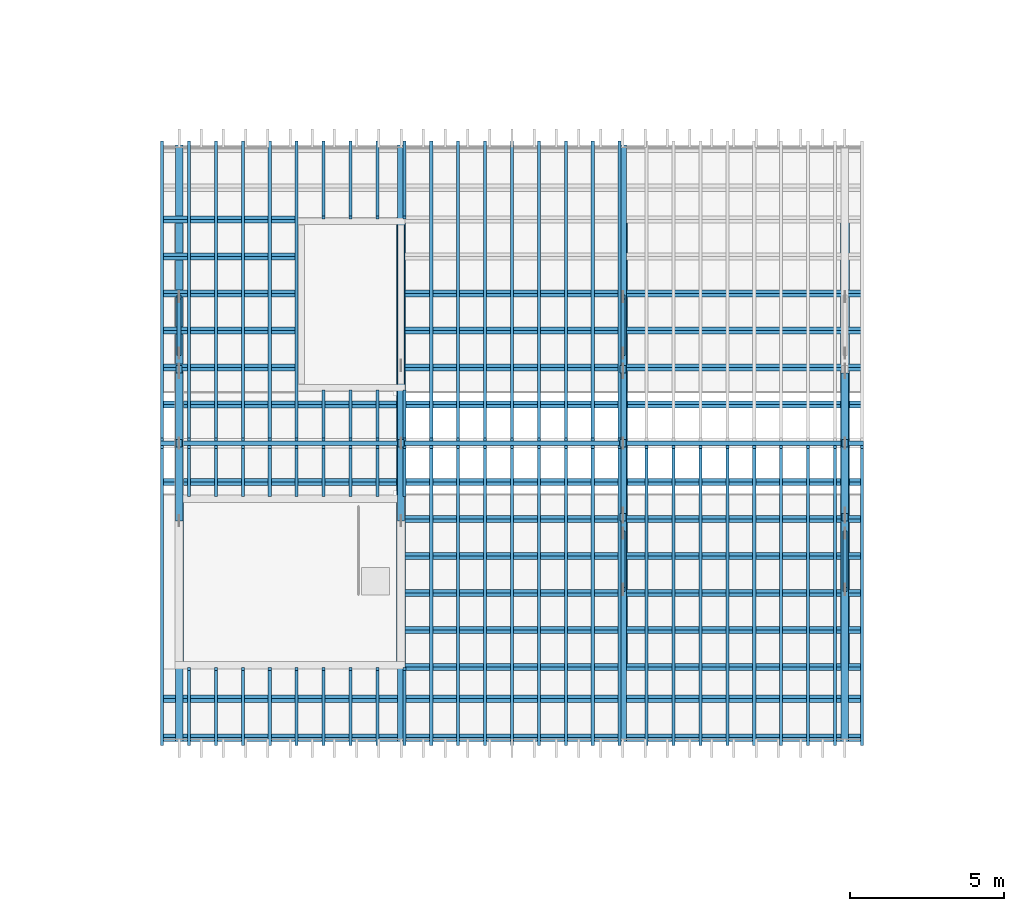
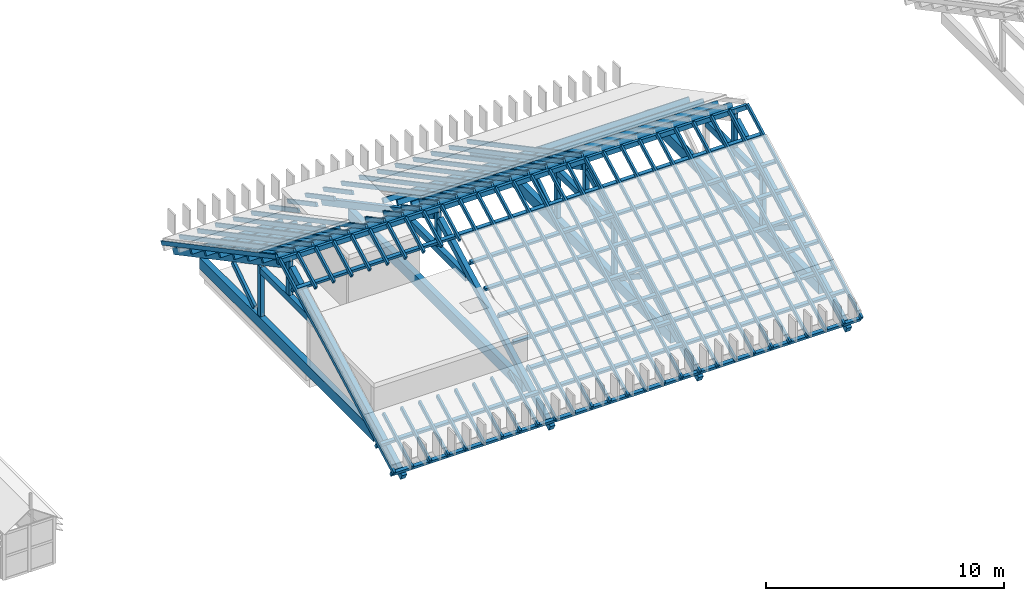
# One storey, part 9 of 28: 99 members, 4 beams.
"""IFC4 building model written with IfcOpenShell, lengths in metres."""

from ifc_helpers import new_model, si_unit, direction, frame, origin, origin_2d, place, context, subcontext, project, spatial, rectangle, extrude, material, material_profile, profile_set, type_object, element, save


model = new_model("IFC4")

# Units and contexts
model_context = context("Model", 3, precision=1e-05, world=origin(), true_north=direction((0.0, 1.0)))
body_context = subcontext(model_context, "Body", "Model", "MODEL_VIEW")
ifc_project = project(units=[si_unit("LENGTHUNIT", "METRE"), si_unit("AREAUNIT", "SQUARE_METRE"), si_unit("VOLUMEUNIT", "CUBIC_METRE"), si_unit("PLANEANGLEUNIT", "RADIAN"), si_unit("MASSUNIT", "GRAM", prefix="KILO")], contexts=[model_context])

# Site, building, storey
site_placement = place(None, origin())
site = spatial("IfcSite", under=ifc_project, at=site_placement, CompositionType="ELEMENT")
building_placement = place(site_placement, origin())
building = spatial("IfcBuilding", under=site, at=building_placement, Name="Mazhai Court Health Centre", CompositionType="ELEMENT")
storey_placement = place(building_placement, frame((0.0, 0.0, 18.0)))
storey = spatial("IfcBuildingStorey", under=building, at=storey_placement, Name="RF", CompositionType="ELEMENT", Elevation=18.0)

# Members
ifc_material_1 = material(Name="Glulam GL24h", Category="wood")
ifc_material_profile_1 = material_profile(ifc_material_1, rectangle(XDim=0.10009765625, YDim=0.199951171875, at=origin_2d()), Name="GL24h 100x200")
ifc_profile_set_1 = profile_set([ifc_material_profile_1], Name="Glulam GL24h")
member_type_1 = type_object("IfcMemberType", Name="GL24h 100x200 rafter", PredefinedType="RAFTER", material=ifc_profile_set_1)
for number, where, z_axis, x_axis, name in (
    (1, (93.14990234375, 10.84033203125, 0.01025390625), (0.0, 0.882946920319, 0.469472827648), (-1.0, 0.0, 0.0), "Rafter RV4W-RF1"),
    (2, (92.27685546875, 10.84033203125, 0.01025390625), (0.0, 0.882946920319, 0.469472827648), (-1.0, 0.0, 0.0), "Rafter RV4W-RF2"),
    (3, (91.40380859375, 10.84033203125, 0.01025390625), (0.0, 0.882946920319, 0.469472827648), (-1.0, 0.0, 0.0), "Rafter RV4W-RF3"),
    (4, (90.53076171875, 10.84033203125, 0.01025390625), (0.0, 0.882946920319, 0.469472827648), (-1.0, 0.0, 0.0), "Rafter RV4W-RF4"),
    (5, (89.65771484375, 10.84033203125, 0.01025390625), (0.0, 0.882946920319, 0.469472827648), (-1.0, 0.0, 0.0), "Rafter RV4W-RF5"),
    (6, (88.78466796875, 10.84033203125, 0.01025390625), (0.0, 0.882946920319, 0.469472827648), (-1.0, 0.0, 0.0), "Rafter RV4W-RF6"),
    (7, (87.91162109375, 10.84033203125, 0.01025390625), (0.0, 0.882946920319, 0.469472827648), (-1.0, 0.0, 0.0), "Rafter RV4W-RF7"),
    (8, (87.03857421875, 10.84033203125, 0.01025390625), (0.0, 0.882946920319, 0.469472827648), (-1.0, 0.0, 0.0), "Rafter RV4W-RF8"),
    (9, (86.165283203125, 10.84033203125, 0.01025390625), (0.0, 0.882946920319, 0.469472827648), (-1.0, 0.0, 0.0), "Rafter RV4W-RF9"),
    (10, (85.292236328125, 10.84033203125, 0.01025390625), (0.0, 0.882946920319, 0.469472827648), (-1.0, 0.0, 0.0), "Rafter RV4W-RF10"),
    (11, (84.419189453125, 10.84033203125, 0.01025390625), (0.0, 0.882946920319, 0.469472827648), (-1.0, 0.0, 0.0), "Rafter RV4W-RF11"),
    (12, (83.546142578125, 10.84033203125, 0.01025390625), (0.0, 0.882946920319, 0.469472827648), (-1.0, 0.0, 0.0), "Rafter RV4W-RF12"),
    (13, (82.673095703125, 10.84033203125, 0.01025390625), (0.0, 0.882946920319, 0.469472827648), (-1.0, 0.0, 0.0), "Rafter RV4W-RF13"),
    (14, (81.800048828125, 10.84033203125, 0.01025390625), (0.0, 0.882946920319, 0.469472827648), (-1.0, 0.0, 0.0), "Rafter RV4W-RF14"),
    (15, (80.927001953125, 10.84033203125, 0.01025390625), (0.0, 0.882946920319, 0.469472827648), (-1.0, 0.0, 0.0), "Rafter RV4W-RF15"),
    (16, (80.053955078125, 10.84033203125, 0.01025390625), (0.0, 0.882946920319, 0.469472827648), (-1.0, 0.0, 0.0), "Rafter RV4W-RF16"),
    (17, (79.1806640625, 10.84033203125, 0.01025390625), (0.0, 0.882946920319, 0.469472827648), (-1.0, 0.0, 0.0), "Rafter RV4W-RF17"),
    (18, (70.449951171875, 10.84033203125, 0.01025390625), (0.0, 0.882946920319, 0.469472827648), (-1.0, 0.0, 0.0), "Rafter RV4W-RF27"),
):
    element("IfcMember", number, at=place(storey_placement, frame(where, z_axis=z_axis, x_axis=x_axis)), inside=storey, type_object=member_type_1, Name=name, PredefinedType="RAFTER", context=body_context, shape_type="SweptSolid", body=[
        extrude(rectangle(XDim=0.10009765625, YDim=0.199951171875, at=origin_2d()), origin(), (0.0, 0.0, 1.0), 10.921142578125),
    ])
for number, where, z_axis, x_axis, name in (
    (19, (70.449951171875, 30.359619140625, 0.01025390625), (0.0, -0.882941993072, 0.469482094301), (1.0, 0.0, 0.0), "Rafter RV4W-RF28"),
    (20, (71.322998046875, 30.359619140625, 0.01025390625), (0.0, -0.882941993072, 0.469482094301), (1.0, 0.0, 0.0), "Rafter RV4W-RF29"),
    (21, (72.196044921875, 30.359619140625, 0.01025390625), (0.0, -0.882941993072, 0.469482094301), (1.0, 0.0, 0.0), "Rafter RV4W-RF30"),
    (22, (73.0693359375, 30.359619140625, 0.01025390625), (0.0, -0.882941993072, 0.469482094301), (1.0, 0.0, 0.0), "Rafter RV4W-RF31"),
    (23, (73.9423828125, 30.359619140625, 0.01025390625), (0.0, -0.882941993072, 0.469482094301), (1.0, 0.0, 0.0), "Rafter RV4W-RF32"),
    (24, (74.8154296875, 30.359619140625, 0.01025390625), (0.0, -0.882941993072, 0.469482094301), (1.0, 0.0, 0.0), "Rafter RV4W-RF33"),
    (25, (79.1806640625, 30.359619140625, 0.01025390625), (0.0, -0.882941993072, 0.469482094301), (1.0, 0.0, 0.0), "Rafter RV4W-RF38"),
    (26, (80.053955078125, 30.359619140625, 0.01025390625), (0.0, -0.882941993072, 0.469482094301), (1.0, 0.0, 0.0), "Rafter RV4W-RF39"),
    (27, (80.927001953125, 30.359619140625, 0.01025390625), (0.0, -0.882941993072, 0.469482094301), (1.0, 0.0, 0.0), "Rafter RV4W-RF40"),
    (28, (81.800048828125, 30.359619140625, 0.01025390625), (0.0, -0.882941993072, 0.469482094301), (1.0, 0.0, 0.0), "Rafter RV4W-RF41"),
    (29, (82.673095703125, 30.359619140625, 0.01025390625), (0.0, -0.882941993072, 0.469482094301), (1.0, 0.0, 0.0), "Rafter RV4W-RF42"),
    (30, (83.546142578125, 30.359619140625, 0.01025390625), (0.0, -0.882941993072, 0.469482094301), (1.0, 0.0, 0.0), "Rafter RV4W-RF43"),
    (31, (84.419189453125, 30.359619140625, 0.01025390625), (0.0, -0.882941993072, 0.469482094301), (1.0, 0.0, 0.0), "Rafter RV4W-RF44"),
    (32, (85.292236328125, 30.359619140625, 0.01025390625), (0.0, -0.882941993072, 0.469482094301), (1.0, 0.0, 0.0), "Rafter RV4W-RF45"),
):
    element("IfcMember", number, at=place(storey_placement, frame(where, z_axis=z_axis, x_axis=x_axis)), inside=storey, type_object=member_type_1, Name=name, PredefinedType="RAFTER", context=body_context, shape_type="SweptSolid", body=[
        extrude(rectangle(XDim=0.10009765625, YDim=0.199951171875, at=origin_2d()), origin(), (0.0, 0.0, 1.0), 10.9208984375),
    ])
member_1_placement = place(storey_placement, frame((78.3076171875, 10.84033203125, 0.01025390625), z_axis=(0.0, 0.882955170154, 0.469457311689), x_axis=(-1.0, 0.0, 0.0)))
element("IfcMember", 33, at=member_1_placement, inside=storey, type_object=member_type_1, Name="Rafter RV4W-RF18", PredefinedType="RAFTER", context=body_context, shape_type="SweptSolid", body=[
    extrude(rectangle(XDim=0.10009765625, YDim=0.199951171875, at=origin_2d()), origin(), (0.0, 0.0, 1.0), 2.75732421875),
])
member_2_placement = place(storey_placement, frame((78.3076171875, 18.925048828125, 4.30908203125), z_axis=(0.0, 0.882968788078, 0.469431698206), x_axis=(-1.0, 0.0, 0.0)))
element("IfcMember", 34, at=member_2_placement, inside=storey, type_object=member_type_1, Name="Rafter RV4W-RF18", PredefinedType="RAFTER", context=body_context, shape_type="SweptSolid", body=[
    extrude(rectangle(XDim=0.10009765625, YDim=0.199951171875, at=origin_2d()), origin(), (0.0, 0.0, 1.0), 1.7646484375),
])
member_3_placement = place(storey_placement, frame((77.4345703125, 10.84033203125, 0.01025390625), z_axis=(0.0, 0.882955170154, 0.469457311689), x_axis=(-1.0, 0.0, 0.0)))
element("IfcMember", 35, at=member_3_placement, inside=storey, type_object=member_type_1, Name="Rafter RV4W-RF19", PredefinedType="RAFTER", context=body_context, shape_type="SweptSolid", body=[
    extrude(rectangle(XDim=0.10009765625, YDim=0.199951171875, at=origin_2d()), origin(), (0.0, 0.0, 1.0), 2.75732421875),
])
member_4_placement = place(storey_placement, frame((77.4345703125, 18.925048828125, 4.30908203125), z_axis=(0.0, 0.882968788078, 0.469431698206), x_axis=(-1.0, 0.0, 0.0)))
element("IfcMember", 36, at=member_4_placement, inside=storey, type_object=member_type_1, Name="Rafter RV4W-RF19", PredefinedType="RAFTER", context=body_context, shape_type="SweptSolid", body=[
    extrude(rectangle(XDim=0.10009765625, YDim=0.199951171875, at=origin_2d()), origin(), (0.0, 0.0, 1.0), 1.7646484375),
])
member_5_placement = place(storey_placement, frame((76.5615234375, 10.84033203125, 0.01025390625), z_axis=(0.0, 0.882955170154, 0.469457311689), x_axis=(-1.0, 0.0, 0.0)))
element("IfcMember", 37, at=member_5_placement, inside=storey, type_object=member_type_1, Name="Rafter RV4W-RF20", PredefinedType="RAFTER", context=body_context, shape_type="SweptSolid", body=[
    extrude(rectangle(XDim=0.10009765625, YDim=0.199951171875, at=origin_2d()), origin(), (0.0, 0.0, 1.0), 2.75732421875),
])
member_6_placement = place(storey_placement, frame((76.5615234375, 18.925048828125, 4.30908203125), z_axis=(0.0, 0.882968788078, 0.469431698206), x_axis=(-1.0, 0.0, 0.0)))
element("IfcMember", 38, at=member_6_placement, inside=storey, type_object=member_type_1, Name="Rafter RV4W-RF20", PredefinedType="RAFTER", context=body_context, shape_type="SweptSolid", body=[
    extrude(rectangle(XDim=0.10009765625, YDim=0.199951171875, at=origin_2d()), origin(), (0.0, 0.0, 1.0), 1.7646484375),
])
member_7_placement = place(storey_placement, frame((75.6884765625, 10.84033203125, 0.01025390625), z_axis=(0.0, 0.882955170154, 0.469457311689), x_axis=(-1.0, 0.0, 0.0)))
element("IfcMember", 39, at=member_7_placement, inside=storey, type_object=member_type_1, Name="Rafter RV4W-RF21", PredefinedType="RAFTER", context=body_context, shape_type="SweptSolid", body=[
    extrude(rectangle(XDim=0.10009765625, YDim=0.199951171875, at=origin_2d()), origin(), (0.0, 0.0, 1.0), 2.75732421875),
])
member_8_placement = place(storey_placement, frame((75.6884765625, 18.925048828125, 4.30908203125), z_axis=(0.0, 0.882968788078, 0.469431698206), x_axis=(-1.0, 0.0, 0.0)))
element("IfcMember", 40, at=member_8_placement, inside=storey, type_object=member_type_1, Name="Rafter RV4W-RF21", PredefinedType="RAFTER", context=body_context, shape_type="SweptSolid", body=[
    extrude(rectangle(XDim=0.10009765625, YDim=0.199951171875, at=origin_2d()), origin(), (0.0, 0.0, 1.0), 1.7646484375),
])
member_9_placement = place(storey_placement, frame((74.8154296875, 10.84033203125, 0.01025390625), z_axis=(0.0, 0.882955170154, 0.469457311689), x_axis=(-1.0, 0.0, 0.0)))
element("IfcMember", 41, at=member_9_placement, inside=storey, type_object=member_type_1, Name="Rafter RV4W-RF22", PredefinedType="RAFTER", context=body_context, shape_type="SweptSolid", body=[
    extrude(rectangle(XDim=0.10009765625, YDim=0.199951171875, at=origin_2d()), origin(), (0.0, 0.0, 1.0), 2.75732421875),
])
member_10_placement = place(storey_placement, frame((74.8154296875, 18.925048828125, 4.30908203125), z_axis=(0.0, 0.882968788078, 0.469431698206), x_axis=(-1.0, 0.0, 0.0)))
element("IfcMember", 42, at=member_10_placement, inside=storey, type_object=member_type_1, Name="Rafter RV4W-RF22", PredefinedType="RAFTER", context=body_context, shape_type="SweptSolid", body=[
    extrude(rectangle(XDim=0.10009765625, YDim=0.199951171875, at=origin_2d()), origin(), (0.0, 0.0, 1.0), 1.7646484375),
])
member_11_placement = place(storey_placement, frame((73.9423828125, 10.84033203125, 0.01025390625), z_axis=(0.0, 0.882955170154, 0.469457311689), x_axis=(-1.0, 0.0, 0.0)))
element("IfcMember", 43, at=member_11_placement, inside=storey, type_object=member_type_1, Name="Rafter RV4W-RF23", PredefinedType="RAFTER", context=body_context, shape_type="SweptSolid", body=[
    extrude(rectangle(XDim=0.10009765625, YDim=0.199951171875, at=origin_2d()), origin(), (0.0, 0.0, 1.0), 2.75732421875),
])
member_12_placement = place(storey_placement, frame((73.9423828125, 18.925048828125, 4.30908203125), z_axis=(0.0, 0.882968788078, 0.469431698206), x_axis=(-1.0, 0.0, 0.0)))
element("IfcMember", 44, at=member_12_placement, inside=storey, type_object=member_type_1, Name="Rafter RV4W-RF23", PredefinedType="RAFTER", context=body_context, shape_type="SweptSolid", body=[
    extrude(rectangle(XDim=0.10009765625, YDim=0.199951171875, at=origin_2d()), origin(), (0.0, 0.0, 1.0), 1.7646484375),
])
member_13_placement = place(storey_placement, frame((73.069091796875, 10.84033203125, 0.01025390625), z_axis=(0.0, 0.882955170154, 0.469457311689), x_axis=(-1.0, 0.0, 0.0)))
element("IfcMember", 45, at=member_13_placement, inside=storey, type_object=member_type_1, Name="Rafter RV4W-RF24", PredefinedType="RAFTER", context=body_context, shape_type="SweptSolid", body=[
    extrude(rectangle(XDim=0.10009765625, YDim=0.199951171875, at=origin_2d()), origin(), (0.0, 0.0, 1.0), 2.75732421875),
])
member_14_placement = place(storey_placement, frame((73.069091796875, 18.925048828125, 4.30908203125), z_axis=(0.0, 0.882968788078, 0.469431698206), x_axis=(-1.0, 0.0, 0.0)))
element("IfcMember", 46, at=member_14_placement, inside=storey, type_object=member_type_1, Name="Rafter RV4W-RF24", PredefinedType="RAFTER", context=body_context, shape_type="SweptSolid", body=[
    extrude(rectangle(XDim=0.10009765625, YDim=0.199951171875, at=origin_2d()), origin(), (0.0, 0.0, 1.0), 1.7646484375),
])
member_15_placement = place(storey_placement, frame((72.1962890625, 10.84033203125, 0.01025390625), z_axis=(0.0, 0.882955170154, 0.469457311689), x_axis=(-1.0, 0.0, 0.0)))
element("IfcMember", 47, at=member_15_placement, inside=storey, type_object=member_type_1, Name="Rafter RV4W-RF25", PredefinedType="RAFTER", context=body_context, shape_type="SweptSolid", body=[
    extrude(rectangle(XDim=0.10009765625, YDim=0.199951171875, at=origin_2d()), origin(), (0.0, 0.0, 1.0), 2.75732421875),
])
member_16_placement = place(storey_placement, frame((72.1962890625, 18.925048828125, 4.30908203125), z_axis=(0.0, 0.882968788078, 0.469431698206), x_axis=(-1.0, 0.0, 0.0)))
element("IfcMember", 48, at=member_16_placement, inside=storey, type_object=member_type_1, Name="Rafter RV4W-RF25", PredefinedType="RAFTER", context=body_context, shape_type="SweptSolid", body=[
    extrude(rectangle(XDim=0.10009765625, YDim=0.199951171875, at=origin_2d()), origin(), (0.0, 0.0, 1.0), 1.7646484375),
])
member_17_placement = place(storey_placement, frame((71.322998046875, 10.84033203125, 0.01025390625), z_axis=(0.0, 0.882955170154, 0.469457311689), x_axis=(-1.0, 0.0, 0.0)))
element("IfcMember", 49, at=member_17_placement, inside=storey, type_object=member_type_1, Name="Rafter RV4W-RF26", PredefinedType="RAFTER", context=body_context, shape_type="SweptSolid", body=[
    extrude(rectangle(XDim=0.10009765625, YDim=0.199951171875, at=origin_2d()), origin(), (0.0, 0.0, 1.0), 2.75732421875),
])
member_18_placement = place(storey_placement, frame((71.322998046875, 18.925048828125, 4.30908203125), z_axis=(0.0, 0.882968788078, 0.469431698206), x_axis=(-1.0, 0.0, 0.0)))
element("IfcMember", 50, at=member_18_placement, inside=storey, type_object=member_type_1, Name="Rafter RV4W-RF26", PredefinedType="RAFTER", context=body_context, shape_type="SweptSolid", body=[
    extrude(rectangle(XDim=0.10009765625, YDim=0.199951171875, at=origin_2d()), origin(), (0.0, 0.0, 1.0), 1.7646484375),
])
member_19_placement = place(storey_placement, frame((75.6884765625, 30.359619140625, 0.01025390625), z_axis=(0.0, -0.882955170154, 0.469457311689), x_axis=(1.0, 0.0, 0.0)))
element("IfcMember", 51, at=member_19_placement, inside=storey, type_object=member_type_1, Name="Rafter RV4W-RF34", PredefinedType="RAFTER", context=body_context, shape_type="SweptSolid", body=[
    extrude(rectangle(XDim=0.10009765625, YDim=0.199951171875, at=origin_2d()), origin(), (0.0, 0.0, 1.0), 2.75732421875),
])
member_20_placement = place(storey_placement, frame((75.6884765625, 22.27490234375, 4.30908203125), z_axis=(0.0, -0.882968788078, 0.469431698206), x_axis=(1.0, 0.0, 0.0)))
element("IfcMember", 52, at=member_20_placement, inside=storey, type_object=member_type_1, Name="Rafter RV4W-RF34", PredefinedType="RAFTER", context=body_context, shape_type="SweptSolid", body=[
    extrude(rectangle(XDim=0.10009765625, YDim=0.199951171875, at=origin_2d()), origin(), (0.0, 0.0, 1.0), 1.7646484375),
])
member_21_placement = place(storey_placement, frame((76.5615234375, 30.359619140625, 0.01025390625), z_axis=(0.0, -0.882955170154, 0.469457311689), x_axis=(1.0, 0.0, 0.0)))
element("IfcMember", 53, at=member_21_placement, inside=storey, type_object=member_type_1, Name="Rafter RV4W-RF35", PredefinedType="RAFTER", context=body_context, shape_type="SweptSolid", body=[
    extrude(rectangle(XDim=0.10009765625, YDim=0.199951171875, at=origin_2d()), origin(), (0.0, 0.0, 1.0), 2.75732421875),
])
member_22_placement = place(storey_placement, frame((76.5615234375, 22.27490234375, 4.30908203125), z_axis=(0.0, -0.882968788078, 0.469431698206), x_axis=(1.0, 0.0, 0.0)))
element("IfcMember", 54, at=member_22_placement, inside=storey, type_object=member_type_1, Name="Rafter RV4W-RF35", PredefinedType="RAFTER", context=body_context, shape_type="SweptSolid", body=[
    extrude(rectangle(XDim=0.10009765625, YDim=0.199951171875, at=origin_2d()), origin(), (0.0, 0.0, 1.0), 1.7646484375),
])
member_23_placement = place(storey_placement, frame((77.4345703125, 30.359619140625, 0.01025390625), z_axis=(0.0, -0.882955170154, 0.469457311689), x_axis=(1.0, 0.0, 0.0)))
element("IfcMember", 55, at=member_23_placement, inside=storey, type_object=member_type_1, Name="Rafter RV4W-RF36", PredefinedType="RAFTER", context=body_context, shape_type="SweptSolid", body=[
    extrude(rectangle(XDim=0.10009765625, YDim=0.199951171875, at=origin_2d()), origin(), (0.0, 0.0, 1.0), 2.75732421875),
])
member_24_placement = place(storey_placement, frame((77.4345703125, 22.27490234375, 4.30908203125), z_axis=(0.0, -0.882968788078, 0.469431698206), x_axis=(1.0, 0.0, 0.0)))
element("IfcMember", 56, at=member_24_placement, inside=storey, type_object=member_type_1, Name="Rafter RV4W-RF36", PredefinedType="RAFTER", context=body_context, shape_type="SweptSolid", body=[
    extrude(rectangle(XDim=0.10009765625, YDim=0.199951171875, at=origin_2d()), origin(), (0.0, 0.0, 1.0), 1.7646484375),
])
member_25_placement = place(storey_placement, frame((78.3076171875, 30.359619140625, 0.01025390625), z_axis=(0.0, -0.882955170154, 0.469457311689), x_axis=(1.0, 0.0, 0.0)))
element("IfcMember", 57, at=member_25_placement, inside=storey, type_object=member_type_1, Name="Rafter RV4W-RF37", PredefinedType="RAFTER", context=body_context, shape_type="SweptSolid", body=[
    extrude(rectangle(XDim=0.10009765625, YDim=0.199951171875, at=origin_2d()), origin(), (0.0, 0.0, 1.0), 2.75732421875),
])
member_26_placement = place(storey_placement, frame((78.3076171875, 22.27490234375, 4.30908203125), z_axis=(0.0, -0.882968788078, 0.469431698206), x_axis=(1.0, 0.0, 0.0)))
element("IfcMember", 58, at=member_26_placement, inside=storey, type_object=member_type_1, Name="Rafter RV4W-RF37", PredefinedType="RAFTER", context=body_context, shape_type="SweptSolid", body=[
    extrude(rectangle(XDim=0.10009765625, YDim=0.199951171875, at=origin_2d()), origin(), (0.0, 0.0, 1.0), 1.7646484375),
])
ifc_material_2 = material(Name="Glulam GL24h", Category="wood")
ifc_material_profile_2 = material_profile(ifc_material_2, rectangle(XDim=0.139892578125, YDim=0.239990234375, at=origin_2d()), Name="GL24h 140x240")
ifc_profile_set_2 = profile_set([ifc_material_profile_2], Name="Glulam GL24h")
member_type_2 = type_object("IfcMemberType", Name="GL24h 140x240 purlin", PredefinedType="PURLIN", material=ifc_profile_set_2)
for number, where, z_axis, x_axis, name in (
    (59, (70.39990234375, 11.043701171875, -0.130859375), (1.0, 0.0, 0.0), (0.0, 0.882947592859, 0.469471562786), "Purlin RV4W-PU1"),
    (60, (70.39990234375, 12.30859375, 0.541748046875), (1.0, 0.0, 0.0), (0.0, 0.882947592859, 0.469471562786), "Purlin RV4W-PU2"),
    (61, (70.39990234375, 19.34375, 4.282470703125), (1.0, 0.0, 0.0), (0.0, 0.882947592859, 0.469471562786), "Purlin RV4W-PU8"),
    (62, (70.39990234375, 21.8564453125, 4.282470703125), (1.0, 0.0, 0.0), (0.0, 0.882947592859, -0.469471562786), "Purlin RV4W-PU16"),
):
    element("IfcMember", number, at=place(storey_placement, frame(where, z_axis=z_axis, x_axis=x_axis)), inside=storey, type_object=member_type_2, Name=name, PredefinedType="PURLIN", context=body_context, shape_type="SweptSolid", body=[
        extrude(rectangle(XDim=0.139892578125, YDim=0.239990234375, at=origin_2d()), origin(), (0.0, 0.0, 1.0), 22.800048828125),
    ])
for number, where, z_axis, x_axis, name in (
    (63, (78.324951171875, 13.34375, 1.09228515625), (1.0, 0.0, 0.0), (0.0, 0.882947592859, 0.469471562786), "Purlin RV4W-PU3"),
    (64, (78.324951171875, 14.543701171875, 1.730224609375), (1.0, 0.0, 0.0), (0.0, 0.882947592859, 0.469471562786), "Purlin RV4W-PU4"),
    (65, (78.324951171875, 15.74365234375, 2.368408203125), (1.0, 0.0, 0.0), (0.0, 0.882947592859, 0.469471562786), "Purlin RV4W-PU5"),
    (66, (78.324951171875, 16.943603515625, 3.00634765625), (1.0, 0.0, 0.0), (0.0, 0.882947592859, 0.469471562786), "Purlin RV4W-PU6"),
    (67, (78.324951171875, 18.143798828125, 3.644287109375), (1.0, 0.0, 0.0), (0.0, 0.882947592859, 0.469471562786), "Purlin RV4W-PU7"),
):
    element("IfcMember", number, at=place(storey_placement, frame(where, z_axis=z_axis, x_axis=x_axis)), inside=storey, type_object=member_type_2, Name=name, PredefinedType="PURLIN", context=body_context, shape_type="SweptSolid", body=[
        extrude(rectangle(XDim=0.139892578125, YDim=0.239990234375, at=origin_2d()), origin(), (0.0, 0.0, 1.0), 14.875),
    ])
for number, where, z_axis, x_axis, name in (
    (68, (70.39990234375, 27.856201171875, 1.09228515625), (1.0, 0.0, 0.0), (0.0, 0.882947592859, -0.469471562786), "Purlin RV4W-PU11"),
    (69, (70.39990234375, 26.65625, 1.730224609375), (1.0, 0.0, 0.0), (0.0, 0.882947592859, -0.469471562786), "Purlin RV4W-PU12"),
    (70, (70.39990234375, 25.456298828125, 2.368408203125), (1.0, 0.0, 0.0), (0.0, 0.882947592859, -0.469471562786), "Purlin RV4W-PU13"),
):
    element("IfcMember", number, at=place(storey_placement, frame(where, z_axis=z_axis, x_axis=x_axis)), inside=storey, type_object=member_type_2, Name=name, PredefinedType="PURLIN", context=body_context, shape_type="SweptSolid", body=[
        extrude(rectangle(XDim=0.139892578125, YDim=0.239990234375, at=origin_2d()), origin(), (0.0, 0.0, 1.0), 4.4501953125),
    ])
member_27_placement = place(storey_placement, frame((78.324951171875, 25.456298828125, 2.368408203125), z_axis=(1.0, 0.0, 0.0), x_axis=(0.0, 0.882947592859, -0.469471562786)))
element("IfcMember", 71, at=member_27_placement, inside=storey, type_object=member_type_2, Name="Purlin RV4W-PU13", PredefinedType="PURLIN", context=body_context, shape_type="SweptSolid", body=[
    extrude(rectangle(XDim=0.139892578125, YDim=0.239990234375, at=origin_2d()), origin(), (0.0, 0.0, 1.0), 14.875),
])
member_28_placement = place(storey_placement, frame((70.39990234375, 24.25634765625, 3.00634765625), z_axis=(1.0, 0.0, 0.0), x_axis=(0.0, 0.882947592859, -0.469471562786)))
element("IfcMember", 72, at=member_28_placement, inside=storey, type_object=member_type_2, Name="Purlin RV4W-PU14", PredefinedType="PURLIN", context=body_context, shape_type="SweptSolid", body=[
    extrude(rectangle(XDim=0.139892578125, YDim=0.239990234375, at=origin_2d()), origin(), (0.0, 0.0, 1.0), 4.4501953125),
])
member_29_placement = place(storey_placement, frame((78.324951171875, 24.25634765625, 3.00634765625), z_axis=(1.0, 0.0, 0.0), x_axis=(0.0, 0.882947592859, -0.469471562786)))
element("IfcMember", 73, at=member_29_placement, inside=storey, type_object=member_type_2, Name="Purlin RV4W-PU14", PredefinedType="PURLIN", context=body_context, shape_type="SweptSolid", body=[
    extrude(rectangle(XDim=0.139892578125, YDim=0.239990234375, at=origin_2d()), origin(), (0.0, 0.0, 1.0), 14.875),
])
member_30_placement = place(storey_placement, frame((70.39990234375, 23.056396484375, 3.644287109375), z_axis=(1.0, 0.0, 0.0), x_axis=(0.0, 0.882947592859, -0.469471562786)))
element("IfcMember", 74, at=member_30_placement, inside=storey, type_object=member_type_2, Name="Purlin RV4W-PU15", PredefinedType="PURLIN", context=body_context, shape_type="SweptSolid", body=[
    extrude(rectangle(XDim=0.139892578125, YDim=0.239990234375, at=origin_2d()), origin(), (0.0, 0.0, 1.0), 4.4501953125),
])
member_31_placement = place(storey_placement, frame((78.324951171875, 23.056396484375, 3.644287109375), z_axis=(1.0, 0.0, 0.0), x_axis=(0.0, 0.882947592859, -0.469471562786)))
element("IfcMember", 75, at=member_31_placement, inside=storey, type_object=member_type_2, Name="Purlin RV4W-PU15", PredefinedType="PURLIN", context=body_context, shape_type="SweptSolid", body=[
    extrude(rectangle(XDim=0.139892578125, YDim=0.239990234375, at=origin_2d()), origin(), (0.0, 0.0, 1.0), 14.875),
])
ifc_material_3 = material(Name="Glulam GL24h", Category="wood")
ifc_material_profile_3 = material_profile(ifc_material_3, rectangle(XDim=0.139892578125, YDim=0.239990234375, at=origin_2d()), Name="GL24h 140x240")
ifc_profile_set_3 = profile_set([ifc_material_profile_3], Name="Glulam GL24h")
member_type_3 = type_object("IfcMemberType", Name="GL24h 140x240 ridge purlin", PredefinedType="PURLIN", material=ifc_profile_set_3)
member_32_placement = place(storey_placement, frame((70.39990234375, 20.60009765625, 4.96630859375), z_axis=(1.0, 0.0, 0.0), x_axis=(0.0, 1.0, 0.0)))
element("IfcMember", 76, at=member_32_placement, inside=storey, type_object=member_type_3, Name="Ridge purlin RV4W-RP1", PredefinedType="PURLIN", context=body_context, shape_type="SweptSolid", body=[
    extrude(rectangle(XDim=0.139892578125, YDim=0.239990234375, at=origin_2d()), origin(), (0.0, 0.0, 1.0), 22.800048828125),
])
ifc_material_4 = material(Name="Glulam GL24h", Category="wood")
ifc_material_profile_4 = material_profile(ifc_material_4, rectangle(XDim=0.139892578125, YDim=0.239990234375, at=origin_2d()), Name="GL24h 140x240")
ifc_profile_set_4 = profile_set([ifc_material_profile_4], Name="Glulam GL24h")
member_type_4 = type_object("IfcMemberType", Name="GL24h 140x240 strut", PredefinedType="BRACE", material=ifc_profile_set_4)
for number, where, z_axis, x_axis, name in (
    (77, (71.0, 23.518310546875, 0.66015625), (0.0, 0.835059577637, 0.550159523954), (-1.0, 0.0, 0.0), "Strut TV4W-1-S2"),
    (78, (85.39990234375, 17.681640625, 0.66015625), (0.0, -0.835059577637, 0.550159523954), (1.0, 0.0, 0.0), "Strut TV4W-3-S1"),
    (79, (85.39990234375, 23.518310546875, 0.66015625), (0.0, 0.835059577637, 0.550159523954), (-1.0, 0.0, 0.0), "Strut TV4W-3-S2"),
    (80, (92.60009765625, 17.681640625, 0.66015625), (0.0, -0.835059577637, 0.550159523954), (1.0, 0.0, 0.0), "Strut TV4W-4-S1"),
):
    element("IfcMember", number, at=place(storey_placement, frame(where, z_axis=z_axis, x_axis=x_axis)), inside=storey, type_object=member_type_4, Name=name, PredefinedType="BRACE", context=body_context, shape_type="SweptSolid", body=[
        extrude(rectangle(XDim=0.139892578125, YDim=0.239990234375, at=origin_2d()), origin(), (0.0, 0.0, 1.0), 2.187744140625),
    ])
ifc_material_5 = material(Name="Glulam GL28h", Category="wood")
ifc_material_profile_5 = material_profile(ifc_material_5, rectangle(XDim=0.199951171875, YDim=0.239990234375, at=origin_2d()), Name="GL28h 200x240")
ifc_profile_set_5 = profile_set([ifc_material_profile_5], Name="Glulam GL28h")
member_type_5 = type_object("IfcMemberType", Name="GL28h 200x240 post", PredefinedType="POST", material=ifc_profile_set_5)
member_33_placement = place(storey_placement, frame((71.0, 23.0, 0.56005859375), z_axis=(0.0, 0.0, 1.0), x_axis=(1.0, 0.0, 0.0)))
element("IfcMember", 81, at=member_33_placement, inside=storey, type_object=member_type_5, Name="Post TV4W-1-P2", PredefinedType="POST", context=body_context, shape_type="SweptSolid", body=[
    extrude(rectangle(XDim=0.199951171875, YDim=0.239990234375, at=origin_2d()), origin(), (0.0, 0.0, 1.0), 2.55224609375),
])
for number, where, z_axis, x_axis, name in (
    (82, (71.0, 20.60009765625, 3.1123046875), (0.0, 0.0, 1.0), (1.0, 0.0, 0.0), "Post TV4W-1-P3"),
    (83, (78.199951171875, 20.60009765625, 3.1123046875), (0.0, 0.0, 1.0), (1.0, 0.0, 0.0), "Post TV4W-2-P3"),
):
    element("IfcMember", number, at=place(storey_placement, frame(where, z_axis=z_axis, x_axis=x_axis)), inside=storey, type_object=member_type_5, Name=name, PredefinedType="POST", context=body_context, shape_type="SweptSolid", body=[
        extrude(rectangle(XDim=0.199951171875, YDim=0.239990234375, at=origin_2d()), origin(), (0.0, 0.0, 1.0), 1.734130859375),
    ])
for number, where, z_axis, x_axis, name in (
    (84, (85.39990234375, 18.199951171875, 0.56005859375), (0.0, 0.0, 1.0), (1.0, 0.0, 0.0), "Post TV4W-3-P1"),
    (85, (85.39990234375, 23.0, 0.56005859375), (0.0, 0.0, 1.0), (1.0, 0.0, 0.0), "Post TV4W-3-P2"),
):
    element("IfcMember", number, at=place(storey_placement, frame(where, z_axis=z_axis, x_axis=x_axis)), inside=storey, type_object=member_type_5, Name=name, PredefinedType="POST", context=body_context, shape_type="SweptSolid", body=[
        extrude(rectangle(XDim=0.199951171875, YDim=0.239990234375, at=origin_2d()), origin(), (0.0, 0.0, 1.0), 2.55224609375),
    ])
member_34_placement = place(storey_placement, frame((85.39990234375, 20.60009765625, 3.1123046875), z_axis=(0.0, 0.0, 1.0), x_axis=(1.0, 0.0, 0.0)))
element("IfcMember", 86, at=member_34_placement, inside=storey, type_object=member_type_5, Name="Post TV4W-3-P3", PredefinedType="POST", context=body_context, shape_type="SweptSolid", body=[
    extrude(rectangle(XDim=0.199951171875, YDim=0.239990234375, at=origin_2d()), origin(), (0.0, 0.0, 1.0), 1.734130859375),
])
member_35_placement = place(storey_placement, frame((92.60009765625, 18.199951171875, 0.56005859375), z_axis=(0.0, 0.0, 1.0), x_axis=(1.0, 0.0, 0.0)))
element("IfcMember", 87, at=member_35_placement, inside=storey, type_object=member_type_5, Name="Post TV4W-4-P1", PredefinedType="POST", context=body_context, shape_type="SweptSolid", body=[
    extrude(rectangle(XDim=0.199951171875, YDim=0.239990234375, at=origin_2d()), origin(), (0.0, 0.0, 1.0), 2.55224609375),
])
member_36_placement = place(storey_placement, frame((92.60009765625, 20.60009765625, 3.1123046875), z_axis=(0.0, 0.0, 1.0), x_axis=(1.0, 0.0, 0.0)))
element("IfcMember", 88, at=member_36_placement, inside=storey, type_object=member_type_5, Name="Post TV4W-4-P3", PredefinedType="POST", context=body_context, shape_type="SweptSolid", body=[
    extrude(rectangle(XDim=0.199951171875, YDim=0.239990234375, at=origin_2d()), origin(), (0.0, 0.0, 1.0), 1.734130859375),
])
ifc_material_6 = material(Name="Glulam GL28h", Category="wood")
ifc_material_profile_6 = material_profile(ifc_material_6, rectangle(XDim=0.239990234375, YDim=0.320068359375, at=origin_2d()), Name="GL28h 240x320")
ifc_profile_set_6 = profile_set([ifc_material_profile_6], Name="Glulam GL28h")
member_type_6 = type_object("IfcMemberType", Name="GL28h 240x320 collar", PredefinedType="COLLAR", material=ifc_profile_set_6)
member_37_placement = place(storey_placement, frame((71.0, 18.080078125, 2.9521484375), z_axis=(0.0, 1.0, 0.0), x_axis=(-1.0, 0.0, 0.0)))
element("IfcMember", 89, at=member_37_placement, inside=storey, type_object=member_type_6, Name="Collar TV4W-1-SB1", PredefinedType="COLLAR", context=body_context, shape_type="SweptSolid", body=[
    extrude(rectangle(XDim=0.239990234375, YDim=0.320068359375, at=origin_2d()), origin(), (0.0, 0.0, 1.0), 4.7998046875),
])
member_38_placement = place(storey_placement, frame((78.199951171875, 18.080078125, 2.9521484375), z_axis=(0.0, 1.0, 0.0), x_axis=(-1.0, 0.0, 0.0)))
element("IfcMember", 90, at=member_38_placement, inside=storey, type_object=member_type_6, Name="Collar TV4W-2-SB1", PredefinedType="COLLAR", context=body_context, shape_type="SweptSolid", body=[
    extrude(rectangle(XDim=0.239990234375, YDim=0.320068359375, at=origin_2d()), origin(), (0.0, 0.0, 1.0), 5.0400390625),
])
for number, where, z_axis, x_axis, name in (
    (91, (85.39990234375, 18.320068359375, 2.9521484375), (0.0, 1.0, 0.0), (-1.0, 0.0, 0.0), "Collar TV4W-3-SB1"),
    (92, (92.60009765625, 18.320068359375, 2.9521484375), (0.0, 1.0, 0.0), (-1.0, 0.0, 0.0), "Collar TV4W-4-SB1"),
):
    element("IfcMember", number, at=place(storey_placement, frame(where, z_axis=z_axis, x_axis=x_axis)), inside=storey, type_object=member_type_6, Name=name, PredefinedType="COLLAR", context=body_context, shape_type="SweptSolid", body=[
        extrude(rectangle(XDim=0.239990234375, YDim=0.320068359375, at=origin_2d()), origin(), (0.0, 0.0, 1.0), 4.559814453125),
    ])
ifc_material_7 = material(Name="Glulam GL28h", Category="wood")
ifc_material_profile_7 = material_profile(ifc_material_7, rectangle(XDim=0.239990234375, YDim=0.320068359375, at=origin_2d()), Name="GL28h 240x320")
ifc_profile_set_7 = profile_set([ifc_material_profile_7], Name="Glulam GL28h")
member_type_7 = type_object("IfcMemberType", Name="GL28h 240x320 rafter", PredefinedType="CHORD", material=ifc_profile_set_7)
for number, where, z_axis, x_axis, name in (
    (93, (71.0, 11.0, -0.47119140625), (0.0, 0.882942629048, 0.469480898237), (-1.0, 0.0, 0.0), "Rafter TV4W-1-R1"),
    (94, (71.0, 20.780029296875, 4.53759765625), (0.0, 0.882942629048, -0.469480898237), (-1.0, 0.0, 0.0), "Rafter TV4W-1-R8"),
    (95, (78.199951171875, 11.0, -0.47119140625), (0.0, 0.882942629048, 0.469480898237), (-1.0, 0.0, 0.0), "Rafter TV4W-2-R1"),
    (96, (78.199951171875, 20.780029296875, 4.53759765625), (0.0, 0.882942629048, -0.469480898237), (-1.0, 0.0, 0.0), "Rafter TV4W-2-R8"),
    (97, (85.39990234375, 11.0, -0.47119140625), (0.0, 0.882942629048, 0.469480898237), (-1.0, 0.0, 0.0), "Rafter TV4W-3-R1"),
    (98, (85.39990234375, 20.780029296875, 4.53759765625), (0.0, 0.882942629048, -0.469480898237), (-1.0, 0.0, 0.0), "Rafter TV4W-3-R8"),
    (99, (92.60009765625, 11.0, -0.47119140625), (0.0, 0.882942629048, 0.469480898237), (-1.0, 0.0, 0.0), "Rafter TV4W-4-R1"),
):
    element("IfcMember", number, at=place(storey_placement, frame(where, z_axis=z_axis, x_axis=x_axis)), inside=storey, type_object=member_type_7, Name=name, PredefinedType="CHORD", context=body_context, shape_type="SweptSolid", body=[
        extrude(rectangle(XDim=0.239990234375, YDim=0.320068359375, at=origin_2d()), origin(), (0.0, 0.0, 1.0), 10.668701171875),
    ])

# Beams
ifc_material_8 = material(Name="Glulam GL28h", Category="wood")
ifc_material_profile_8 = material_profile(ifc_material_8, rectangle(XDim=0.280029296875, YDim=0.56005859375, at=origin_2d()), Name="GL28h 280x560")
ifc_profile_set_8 = profile_set([ifc_material_profile_8], Name="Glulam GL28h")
beam_type = type_object("IfcBeamType", Name="GL28h 280x560 tie", PredefinedType="BEAM", material=ifc_profile_set_8)
for number, where, z_axis, x_axis, name in (
    (100, (71.0, 13.280029296875, 0.280029296875), (0.0, 1.0, 0.0), (-1.0, 0.0, 0.0), "Tie TV4W-1-TB1"),
    (101, (78.199951171875, 13.280029296875, 0.280029296875), (0.0, 1.0, 0.0), (-1.0, 0.0, 0.0), "Tie TV4W-2-TB1"),
    (102, (85.39990234375, 13.280029296875, 0.280029296875), (0.0, 1.0, 0.0), (-1.0, 0.0, 0.0), "Tie TV4W-3-TB1"),
    (103, (92.60009765625, 13.280029296875, 0.280029296875), (0.0, 1.0, 0.0), (-1.0, 0.0, 0.0), "Tie TV4W-4-TB1"),
):
    element("IfcBeam", number, at=place(storey_placement, frame(where, z_axis=z_axis, x_axis=x_axis)), inside=storey, type_object=beam_type, Name=name, PredefinedType="BEAM", context=body_context, shape_type="SweptSolid", body=[
        extrude(rectangle(XDim=0.280029296875, YDim=0.56005859375, at=origin_2d()), origin(), (0.0, 0.0, 1.0), 14.639892578125),
    ])

save(model, "model.ifc")
